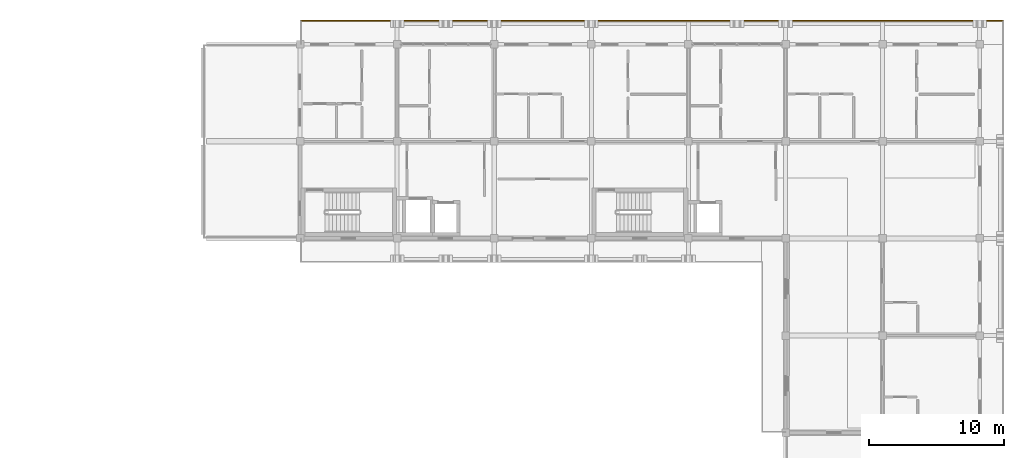
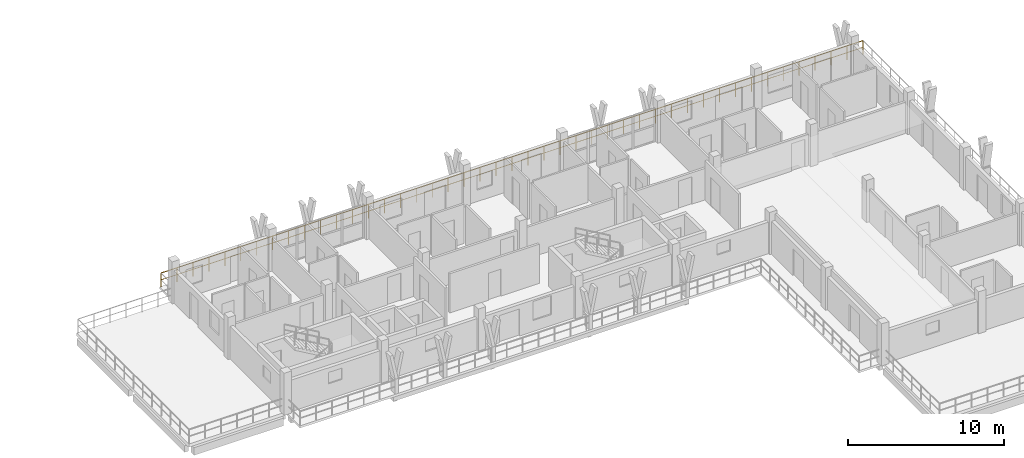
# One storey, part 60 of 60: 1 railing.
"""IFC4 building model written with IfcOpenShell, lengths in metres."""

from ifc_helpers import new_model, si_unit, direction, frame, origin, origin_2d, place, context, subcontext, project, spatial, rectangle, extrude, material, type_object, element, save


model = new_model("IFC4")

# Units and contexts
model_context = context("Model", 3, precision=1e-05, world=origin(), true_north=direction((0.0, 1.0)))
body_context = subcontext(model_context, "Body", "Model", "MODEL_VIEW")
ifc_project = project(units=[si_unit("LENGTHUNIT", "METRE"), si_unit("AREAUNIT", "SQUARE_METRE"), si_unit("VOLUMEUNIT", "CUBIC_METRE"), si_unit("PLANEANGLEUNIT", "RADIAN"), si_unit("MASSUNIT", "GRAM", prefix="KILO")], contexts=[model_context])

# Site, building, storey
site_placement = place(None, origin())
site = spatial("IfcSite", under=ifc_project, at=site_placement, CompositionType="ELEMENT")
building_placement = place(site_placement, origin())
building = spatial("IfcBuilding", under=site, at=building_placement, Name="Suanplinth Sawtooth Commons", CompositionType="ELEMENT")
storey_placement = place(building_placement, frame((0.0, 0.0, 31.5)))
storey = spatial("IfcBuildingStorey", under=building, at=storey_placement, Name="L09", CompositionType="ELEMENT", Elevation=31.5)

# Railing
ifc_material = material(Name="Powder-coated galvanized steel", Category="steel")
railing_type = type_object("IfcRailingType", Name="GR-01", PredefinedType="BALUSTRADE", material=ifc_material)
railing_placement = place(storey_placement, frame((136.860107421875, 124.139892578125, 0.0)))
element("IfcRailing", 1, at=railing_placement, inside=storey, type_object=railing_type, Name="L09 Block B Perimeter Balustrade 9", PredefinedType="BALUSTRADE", context=body_context, shape_type="SweptSolid", body=[
    extrude(rectangle(XDim=0.048095703125, YDim=0.048095703125, at=origin_2d()), frame((0.0, 0.0, 1.09619140625), z_axis=(1.0, 0.0, 0.0), x_axis=(0.0, 1.0, 0.0)), (0.0, 0.0, 1.0), 52.079833984375),
    extrude(rectangle(XDim=0.03369140625, YDim=0.03369140625, at=origin_2d()), frame((0.0, 0.0, 0.56005859375), z_axis=(1.0, 0.0, 0.0), x_axis=(0.0, 1.0, 0.0)), (0.0, 0.0, 1.0), 52.079833984375),
    extrude(rectangle(XDim=0.0419921875, YDim=0.0419921875, at=origin_2d()), origin(), (0.0, 0.0, 1.0), 1.072021484375),
    extrude(rectangle(XDim=0.0419921875, YDim=0.0419921875, at=origin_2d()), frame((1.18359375, 0.0, 0.0)), (0.0, 0.0, 1.0), 1.072021484375),
    extrude(rectangle(XDim=0.0419921875, YDim=0.0419921875, at=origin_2d()), frame((2.3671875, 0.0, 0.0)), (0.0, 0.0, 1.0), 1.072021484375),
    extrude(rectangle(XDim=0.0419921875, YDim=0.0419921875, at=origin_2d()), frame((3.55078125, 0.0, 0.0)), (0.0, 0.0, 1.0), 1.072021484375),
    extrude(rectangle(XDim=0.0419921875, YDim=0.0419921875, at=origin_2d()), frame((4.734619140625, 0.0, 0.0)), (0.0, 0.0, 1.0), 1.072021484375),
    extrude(rectangle(XDim=0.0419921875, YDim=0.0419921875, at=origin_2d()), frame((5.918212890625, 0.0, 0.0)), (0.0, 0.0, 1.0), 1.072021484375),
    extrude(rectangle(XDim=0.0419921875, YDim=0.0419921875, at=origin_2d()), frame((7.101806640625, 0.0, 0.0)), (0.0, 0.0, 1.0), 1.072021484375),
    extrude(rectangle(XDim=0.0419921875, YDim=0.0419921875, at=origin_2d()), frame((8.285400390625, 0.0, 0.0)), (0.0, 0.0, 1.0), 1.072021484375),
    extrude(rectangle(XDim=0.0419921875, YDim=0.0419921875, at=origin_2d()), frame((9.468994140625, 0.0, 0.0)), (0.0, 0.0, 1.0), 1.072021484375),
    extrude(rectangle(XDim=0.0419921875, YDim=0.0419921875, at=origin_2d()), frame((10.652587890625, 0.0, 0.0)), (0.0, 0.0, 1.0), 1.072021484375),
    extrude(rectangle(XDim=0.0419921875, YDim=0.0419921875, at=origin_2d()), frame((11.83642578125, 0.0, 0.0)), (0.0, 0.0, 1.0), 1.072021484375),
    extrude(rectangle(XDim=0.0419921875, YDim=0.0419921875, at=origin_2d()), frame((13.02001953125, 0.0, 0.0)), (0.0, 0.0, 1.0), 1.072021484375),
    extrude(rectangle(XDim=0.0419921875, YDim=0.0419921875, at=origin_2d()), frame((14.20361328125, 0.0, 0.0)), (0.0, 0.0, 1.0), 1.072021484375),
    extrude(rectangle(XDim=0.0419921875, YDim=0.0419921875, at=origin_2d()), frame((15.38720703125, 0.0, 0.0)), (0.0, 0.0, 1.0), 1.072021484375),
    extrude(rectangle(XDim=0.0419921875, YDim=0.0419921875, at=origin_2d()), frame((16.57080078125, 0.0, 0.0)), (0.0, 0.0, 1.0), 1.072021484375),
    extrude(rectangle(XDim=0.0419921875, YDim=0.0419921875, at=origin_2d()), frame((17.75439453125, 0.0, 0.0)), (0.0, 0.0, 1.0), 1.072021484375),
    extrude(rectangle(XDim=0.0419921875, YDim=0.0419921875, at=origin_2d()), frame((18.938232421875, 0.0, 0.0)), (0.0, 0.0, 1.0), 1.072021484375),
    extrude(rectangle(XDim=0.0419921875, YDim=0.0419921875, at=origin_2d()), frame((20.121826171875, 0.0, 0.0)), (0.0, 0.0, 1.0), 1.072021484375),
    extrude(rectangle(XDim=0.0419921875, YDim=0.0419921875, at=origin_2d()), frame((21.305419921875, 0.0, 0.0)), (0.0, 0.0, 1.0), 1.072021484375),
    extrude(rectangle(XDim=0.0419921875, YDim=0.0419921875, at=origin_2d()), frame((22.489013671875, 0.0, 0.0)), (0.0, 0.0, 1.0), 1.072021484375),
    extrude(rectangle(XDim=0.0419921875, YDim=0.0419921875, at=origin_2d()), frame((23.672607421875, 0.0, 0.0)), (0.0, 0.0, 1.0), 1.072021484375),
    extrude(rectangle(XDim=0.0419921875, YDim=0.0419921875, at=origin_2d()), frame((24.856201171875, 0.0, 0.0)), (0.0, 0.0, 1.0), 1.072021484375),
    extrude(rectangle(XDim=0.0419921875, YDim=0.0419921875, at=origin_2d()), frame((26.0400390625, 0.0, 0.0)), (0.0, 0.0, 1.0), 1.072021484375),
    extrude(rectangle(XDim=0.0419921875, YDim=0.0419921875, at=origin_2d()), frame((27.2236328125, 0.0, 0.0)), (0.0, 0.0, 1.0), 1.072021484375),
    extrude(rectangle(XDim=0.0419921875, YDim=0.0419921875, at=origin_2d()), frame((28.4072265625, 0.0, 0.0)), (0.0, 0.0, 1.0), 1.072021484375),
    extrude(rectangle(XDim=0.0419921875, YDim=0.0419921875, at=origin_2d()), frame((29.5908203125, 0.0, 0.0)), (0.0, 0.0, 1.0), 1.072021484375),
    extrude(rectangle(XDim=0.0419921875, YDim=0.0419921875, at=origin_2d()), frame((30.7744140625, 0.0, 0.0)), (0.0, 0.0, 1.0), 1.072021484375),
    extrude(rectangle(XDim=0.0419921875, YDim=0.0419921875, at=origin_2d()), frame((31.9580078125, 0.0, 0.0)), (0.0, 0.0, 1.0), 1.072021484375),
    extrude(rectangle(XDim=0.0419921875, YDim=0.0419921875, at=origin_2d()), frame((33.1416015625, 0.0, 0.0)), (0.0, 0.0, 1.0), 1.072021484375),
    extrude(rectangle(XDim=0.0419921875, YDim=0.0419921875, at=origin_2d()), frame((34.325439453125, 0.0, 0.0)), (0.0, 0.0, 1.0), 1.072021484375),
    extrude(rectangle(XDim=0.0419921875, YDim=0.0419921875, at=origin_2d()), frame((35.509033203125, 0.0, 0.0)), (0.0, 0.0, 1.0), 1.072021484375),
    extrude(rectangle(XDim=0.0419921875, YDim=0.0419921875, at=origin_2d()), frame((36.692626953125, 0.0, 0.0)), (0.0, 0.0, 1.0), 1.072021484375),
    extrude(rectangle(XDim=0.0419921875, YDim=0.0419921875, at=origin_2d()), frame((37.876220703125, 0.0, 0.0)), (0.0, 0.0, 1.0), 1.072021484375),
    extrude(rectangle(XDim=0.0419921875, YDim=0.0419921875, at=origin_2d()), frame((39.059814453125, 0.0, 0.0)), (0.0, 0.0, 1.0), 1.072021484375),
    extrude(rectangle(XDim=0.0419921875, YDim=0.0419921875, at=origin_2d()), frame((40.243408203125, 0.0, 0.0)), (0.0, 0.0, 1.0), 1.072021484375),
    extrude(rectangle(XDim=0.0419921875, YDim=0.0419921875, at=origin_2d()), frame((41.42724609375, 0.0, 0.0)), (0.0, 0.0, 1.0), 1.072021484375),
    extrude(rectangle(XDim=0.0419921875, YDim=0.0419921875, at=origin_2d()), frame((42.61083984375, 0.0, 0.0)), (0.0, 0.0, 1.0), 1.072021484375),
    extrude(rectangle(XDim=0.0419921875, YDim=0.0419921875, at=origin_2d()), frame((43.79443359375, 0.0, 0.0)), (0.0, 0.0, 1.0), 1.072021484375),
    extrude(rectangle(XDim=0.0419921875, YDim=0.0419921875, at=origin_2d()), frame((44.97802734375, 0.0, 0.0)), (0.0, 0.0, 1.0), 1.072021484375),
    extrude(rectangle(XDim=0.0419921875, YDim=0.0419921875, at=origin_2d()), frame((46.16162109375, 0.0, 0.0)), (0.0, 0.0, 1.0), 1.072021484375),
    extrude(rectangle(XDim=0.0419921875, YDim=0.0419921875, at=origin_2d()), frame((47.34521484375, 0.0, 0.0)), (0.0, 0.0, 1.0), 1.072021484375),
    extrude(rectangle(XDim=0.0419921875, YDim=0.0419921875, at=origin_2d()), frame((48.529052734375, 0.0, 0.0)), (0.0, 0.0, 1.0), 1.072021484375),
    extrude(rectangle(XDim=0.0419921875, YDim=0.0419921875, at=origin_2d()), frame((49.712646484375, 0.0, 0.0)), (0.0, 0.0, 1.0), 1.072021484375),
    extrude(rectangle(XDim=0.0419921875, YDim=0.0419921875, at=origin_2d()), frame((50.896240234375, 0.0, 0.0)), (0.0, 0.0, 1.0), 1.072021484375),
    extrude(rectangle(XDim=0.0419921875, YDim=0.0419921875, at=origin_2d()), frame((52.079833984375, 0.0, 0.0)), (0.0, 0.0, 1.0), 1.072021484375),
])

save(model, "model.ifc")
